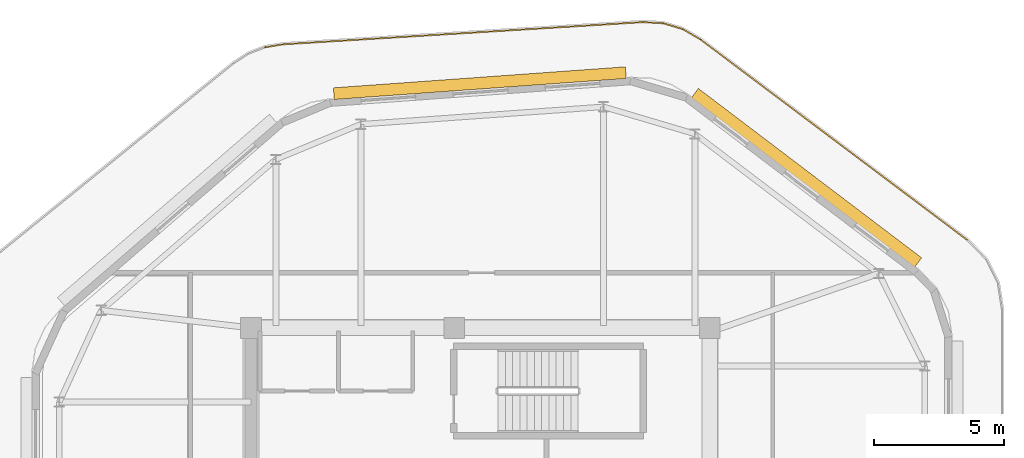
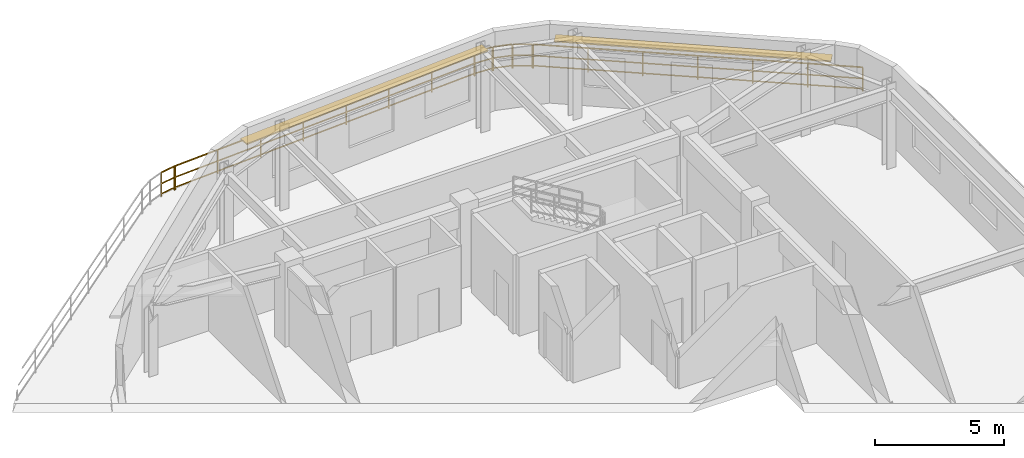
# One storey, part 7 of 7: 6 railings, 2 shading devices.
"""IFC4 building model written with IfcOpenShell, lengths in metres."""

from ifc_helpers import new_model, si_unit, direction, frame, origin, origin_2d, place, context, subcontext, project, spatial, rectangle, extrude, material, layer, layer_set, type_object, element, save


model = new_model("IFC4")

# Units and contexts
model_context = context("Model", 3, precision=1e-05, world=origin(), true_north=direction((0.0, 1.0)))
body_context = subcontext(model_context, "Body", "Model", "MODEL_VIEW")
ifc_project = project(units=[si_unit("LENGTHUNIT", "METRE"), si_unit("AREAUNIT", "SQUARE_METRE"), si_unit("VOLUMEUNIT", "CUBIC_METRE"), si_unit("PLANEANGLEUNIT", "RADIAN"), si_unit("MASSUNIT", "GRAM", prefix="KILO")], contexts=[model_context])

# Site, building, storey
site_placement = place(None, origin())
site = spatial("IfcSite", under=ifc_project, at=site_placement, CompositionType="ELEMENT")
building_placement = place(site_placement, origin())
building = spatial("IfcBuilding", under=site, at=building_placement, Name="Zulverin Broadcast Headquarters", CompositionType="ELEMENT")
storey_placement = place(building_placement, frame((0.0, 0.0, 321.39990234375)))
storey = spatial("IfcBuildingStorey", under=building, at=storey_placement, Name="C3", CompositionType="ELEMENT", Elevation=321.39990234375)

# Railings
ifc_material_1 = material(Name="Brushed stainless steel & laminated glass balustrade", Category="steel")
railing_type = type_object("IfcRailingType", Name="RL-GUARD-1150", PredefinedType="GUARDRAIL", material=ifc_material_1)
railing_1_placement = place(storey_placement, frame((31.17431640625, 43.876953125, 0.0)))
element("IfcRailing", 1, at=railing_1_placement, inside=storey, type_object=railing_type, Name="C3 Stepped Crown Terrace Perimeter Balustrade Segment 12", PredefinedType="GUARDRAIL", context=body_context, shape_type="SweptSolid", body=[
    extrude(rectangle(XDim=0.048095703125, YDim=0.048095703125, at=origin_2d()), frame((0.0, 0.0, 1.1259765625), z_axis=(0.986444048487, 0.164097956128, 0.0), x_axis=(-0.164097956128, 0.986444048487, 0.0)), (0.0, 0.0, 1.0), 0.65771484375),
    extrude(rectangle(XDim=0.0419921875, YDim=0.0419921875, at=origin_2d()), frame((0.0, 0.0, 0.597900390625), z_axis=(0.986444048487, 0.164097956128, 0.0), x_axis=(-0.164097956128, 0.986444048487, 0.0)), (0.0, 0.0, 1.0), 0.65771484375),
    extrude(rectangle(XDim=0.0419921875, YDim=0.0419921875, at=origin_2d()), frame((0.0, 0.0, 0.1201171875), z_axis=(0.986444048487, 0.164097956128, 0.0), x_axis=(-0.164097956128, 0.986444048487, 0.0)), (0.0, 0.0, 1.0), 0.65771484375),
    extrude(rectangle(XDim=0.0419921875, YDim=0.0419921875, at=origin_2d()), origin(), (0.0, 0.0, 1.0), 1.101806640625),
    extrude(rectangle(XDim=0.0419921875, YDim=0.0419921875, at=origin_2d()), frame((0.648681640625, 0.10791015625, 0.0)), (0.0, 0.0, 1.0), 1.101806640625),
])
railing_2_placement = place(storey_placement, frame((31.852783203125, 43.98828125, 0.0)))
element("IfcRailing", 2, at=railing_2_placement, inside=storey, type_object=railing_type, Name="C3 Stepped Crown Terrace Perimeter Balustrade Segment 13", PredefinedType="GUARDRAIL", context=body_context, shape_type="SweptSolid", body=[
    extrude(rectangle(XDim=0.048095703125, YDim=0.048095703125, at=origin_2d()), frame((0.0, 0.0, 1.1259765625), z_axis=(0.998103223498, 0.061562612374, 0.0), x_axis=(-0.061562612374, 0.998103223498, 0.0)), (0.0, 0.0, 1.0), 13.8642578125),
    extrude(rectangle(XDim=0.0419921875, YDim=0.0419921875, at=origin_2d()), frame((0.0, 0.0, 0.597900390625), z_axis=(0.998103223498, 0.061562612374, 0.0), x_axis=(-0.061562612374, 0.998103223498, 0.0)), (0.0, 0.0, 1.0), 13.8642578125),
    extrude(rectangle(XDim=0.0419921875, YDim=0.0419921875, at=origin_2d()), frame((0.0, 0.0, 0.1201171875), z_axis=(0.998103223498, 0.061562612374, 0.0), x_axis=(-0.061562612374, 0.998103223498, 0.0)), (0.0, 0.0, 1.0), 13.8642578125),
    extrude(rectangle(XDim=0.0419921875, YDim=0.0419921875, at=origin_2d()), origin(), (0.0, 0.0, 1.0), 1.101806640625),
    extrude(rectangle(XDim=0.0419921875, YDim=0.0419921875, at=origin_2d()), frame((1.976806640625, 0.121826171875, 0.0)), (0.0, 0.0, 1.0), 1.101806640625),
    extrude(rectangle(XDim=0.0419921875, YDim=0.0419921875, at=origin_2d()), frame((3.95361328125, 0.243896484375, 0.0)), (0.0, 0.0, 1.0), 1.101806640625),
    extrude(rectangle(XDim=0.0419921875, YDim=0.0419921875, at=origin_2d()), frame((5.930419921875, 0.36572265625, 0.0)), (0.0, 0.0, 1.0), 1.101806640625),
    extrude(rectangle(XDim=0.0419921875, YDim=0.0419921875, at=origin_2d()), frame((7.907470703125, 0.48779296875, 0.0)), (0.0, 0.0, 1.0), 1.101806640625),
    extrude(rectangle(XDim=0.0419921875, YDim=0.0419921875, at=origin_2d()), frame((9.88427734375, 0.609619140625, 0.0)), (0.0, 0.0, 1.0), 1.101806640625),
    extrude(rectangle(XDim=0.0419921875, YDim=0.0419921875, at=origin_2d()), frame((11.861083984375, 0.731689453125, 0.0)), (0.0, 0.0, 1.0), 1.101806640625),
    extrude(rectangle(XDim=0.0419921875, YDim=0.0419921875, at=origin_2d()), frame((13.837890625, 0.853515625, 0.0)), (0.0, 0.0, 1.0), 1.101806640625),
])
railing_3_placement = place(storey_placement, frame((45.720703125, 44.842041015625, 0.0)))
element("IfcRailing", 3, at=railing_3_placement, inside=storey, type_object=railing_type, Name="C3 Stepped Crown Terrace Perimeter Balustrade Segment 14", PredefinedType="GUARDRAIL", context=body_context, shape_type="SweptSolid", body=[
    extrude(rectangle(XDim=0.048095703125, YDim=0.048095703125, at=origin_2d()), frame((0.0, 0.0, 1.1259765625), z_axis=(0.998412168464, -0.056330647637, 0.0), x_axis=(0.056330647637, 0.998412168464, 0.0)), (0.0, 0.0, 1.0), 0.754150390625),
    extrude(rectangle(XDim=0.0419921875, YDim=0.0419921875, at=origin_2d()), frame((0.0, 0.0, 0.597900390625), z_axis=(0.998412168464, -0.056330647637, 0.0), x_axis=(0.056330647637, 0.998412168464, 0.0)), (0.0, 0.0, 1.0), 0.754150390625),
    extrude(rectangle(XDim=0.0419921875, YDim=0.0419921875, at=origin_2d()), frame((0.0, 0.0, 0.1201171875), z_axis=(0.998412168464, -0.056330647637, 0.0), x_axis=(0.056330647637, 0.998412168464, 0.0)), (0.0, 0.0, 1.0), 0.754150390625),
    extrude(rectangle(XDim=0.0419921875, YDim=0.0419921875, at=origin_2d()), origin(), (0.0, 0.0, 1.0), 1.101806640625),
    extrude(rectangle(XDim=0.0419921875, YDim=0.0419921875, at=origin_2d()), frame((0.7529296875, -0.04248046875, 0.0)), (0.0, 0.0, 1.0), 1.101806640625),
])
railing_4_placement = place(storey_placement, frame((46.503173828125, 44.79443359375, 0.0)))
element("IfcRailing", 4, at=railing_4_placement, inside=storey, type_object=railing_type, Name="C3 Stepped Crown Terrace Perimeter Balustrade Segment 15", PredefinedType="GUARDRAIL", context=body_context, shape_type="SweptSolid", body=[
    extrude(rectangle(XDim=0.048095703125, YDim=0.048095703125, at=origin_2d()), frame((0.0, 0.0, 1.1259765625), z_axis=(0.957826285221, -0.287347885566, 0.0), x_axis=(0.287347885566, 0.957826285221, 0.0)), (0.0, 0.0, 1.0), 0.749267578125),
    extrude(rectangle(XDim=0.0419921875, YDim=0.0419921875, at=origin_2d()), frame((0.0, 0.0, 0.597900390625), z_axis=(0.957826285221, -0.287347885566, 0.0), x_axis=(0.287347885566, 0.957826285221, 0.0)), (0.0, 0.0, 1.0), 0.749267578125),
    extrude(rectangle(XDim=0.0419921875, YDim=0.0419921875, at=origin_2d()), frame((0.0, 0.0, 0.1201171875), z_axis=(0.957826285221, -0.287347885566, 0.0), x_axis=(0.287347885566, 0.957826285221, 0.0)), (0.0, 0.0, 1.0), 0.749267578125),
    extrude(rectangle(XDim=0.0419921875, YDim=0.0419921875, at=origin_2d()), origin(), (0.0, 0.0, 1.0), 1.101806640625),
    extrude(rectangle(XDim=0.0419921875, YDim=0.0419921875, at=origin_2d()), frame((0.7177734375, -0.21533203125, 0.0)), (0.0, 0.0, 1.0), 1.101806640625),
])
railing_5_placement = place(storey_placement, frame((47.248291015625, 44.567138671875, 0.0)))
element("IfcRailing", 5, at=railing_5_placement, inside=storey, type_object=railing_type, Name="C3 Stepped Crown Terrace Perimeter Balustrade Segment 16", PredefinedType="GUARDRAIL", context=body_context, shape_type="SweptSolid", body=[
    extrude(rectangle(XDim=0.048095703125, YDim=0.048095703125, at=origin_2d()), frame((0.0, 0.0, 1.1259765625), z_axis=(0.864353452712, -0.50288478679, 0.0), x_axis=(0.50288478679, 0.864353452712, 0.0)), (0.0, 0.0, 1.0), 0.75439453125),
    extrude(rectangle(XDim=0.0419921875, YDim=0.0419921875, at=origin_2d()), frame((0.0, 0.0, 0.597900390625), z_axis=(0.864353452712, -0.50288478679, 0.0), x_axis=(0.50288478679, 0.864353452712, 0.0)), (0.0, 0.0, 1.0), 0.75439453125),
    extrude(rectangle(XDim=0.0419921875, YDim=0.0419921875, at=origin_2d()), frame((0.0, 0.0, 0.1201171875), z_axis=(0.864353452712, -0.50288478679, 0.0), x_axis=(0.50288478679, 0.864353452712, 0.0)), (0.0, 0.0, 1.0), 0.75439453125),
    extrude(rectangle(XDim=0.0419921875, YDim=0.0419921875, at=origin_2d()), origin(), (0.0, 0.0, 1.0), 1.101806640625),
    extrude(rectangle(XDim=0.0419921875, YDim=0.0419921875, at=origin_2d()), frame((0.652099609375, -0.37939453125, 0.0)), (0.0, 0.0, 1.0), 1.101806640625),
])
railing_6_placement = place(storey_placement, frame((47.92529296875, 44.17138671875, 0.0)))
element("IfcRailing", 6, at=railing_6_placement, inside=storey, type_object=railing_type, Name="C3 Stepped Crown Terrace Perimeter Balustrade Segment 17", PredefinedType="GUARDRAIL", context=body_context, shape_type="SweptSolid", body=[
    extrude(rectangle(XDim=0.048095703125, YDim=0.048095703125, at=origin_2d()), frame((0.0, 0.0, 1.1259765625), z_axis=(0.799362266958, -0.600849370611, 0.0), x_axis=(0.600849370611, 0.799362266958, 0.0)), (0.0, 0.0, 1.0), 12.826171875),
    extrude(rectangle(XDim=0.0419921875, YDim=0.0419921875, at=origin_2d()), frame((0.0, 0.0, 0.597900390625), z_axis=(0.799362266958, -0.600849370611, 0.0), x_axis=(0.600849370611, 0.799362266958, 0.0)), (0.0, 0.0, 1.0), 12.826171875),
    extrude(rectangle(XDim=0.0419921875, YDim=0.0419921875, at=origin_2d()), frame((0.0, 0.0, 0.1201171875), z_axis=(0.799362266958, -0.600849370611, 0.0), x_axis=(0.600849370611, 0.799362266958, 0.0)), (0.0, 0.0, 1.0), 12.826171875),
    extrude(rectangle(XDim=0.0419921875, YDim=0.0419921875, at=origin_2d()), origin(), (0.0, 0.0, 1.0), 1.101806640625),
    extrude(rectangle(XDim=0.0419921875, YDim=0.0419921875, at=origin_2d()), frame((1.708740234375, -1.284423828125, 0.0)), (0.0, 0.0, 1.0), 1.101806640625),
    extrude(rectangle(XDim=0.0419921875, YDim=0.0419921875, at=origin_2d()), frame((3.41748046875, -2.56884765625, 0.0)), (0.0, 0.0, 1.0), 1.101806640625),
    extrude(rectangle(XDim=0.0419921875, YDim=0.0419921875, at=origin_2d()), frame((5.12646484375, -3.853271484375, 0.0)), (0.0, 0.0, 1.0), 1.101806640625),
    extrude(rectangle(XDim=0.0419921875, YDim=0.0419921875, at=origin_2d()), frame((6.835205078125, -5.1376953125, 0.0)), (0.0, 0.0, 1.0), 1.101806640625),
    extrude(rectangle(XDim=0.0419921875, YDim=0.0419921875, at=origin_2d()), frame((8.5439453125, -6.422119140625, 0.0)), (0.0, 0.0, 1.0), 1.101806640625),
    extrude(rectangle(XDim=0.0419921875, YDim=0.0419921875, at=origin_2d()), frame((10.252685546875, -7.70654296875, 0.0)), (0.0, 0.0, 1.0), 1.101806640625),
])

# Shading devices
ifc_material_2 = material(Name="Anodized pale-metal aluminium sunshade", Category="aluminium")
ifc_layer = layer(ifc_material_2, 0.06005859375, Name="Anodized pale-metal aluminium sunshade", Category="aluminium")
ifc_layer_set = layer_set([ifc_layer], Name="Anodized pale-metal aluminium sunshade")
shading_device_type = type_object("IfcShadingDeviceType", Name="SS-01_PALE_METAL_ALUMINIUM_SUNSHADE", PredefinedType="USERDEFINED", material=ifc_layer_set)
shading_device_1_placement = place(storey_placement, frame((52.000244140625, 38.85107421875, 2.7099609375), z_axis=(0.0, 0.0, 1.0), x_axis=(-0.796691338975, 0.604386391643, 0.0)))
element("IfcShadingDevice", 7, at=shading_device_1_placement, inside=storey, type_object=shading_device_type, Name="C3 Horizontal Pale-Metal Sunshade Band 4", ObjectType="SUNSHADE", PredefinedType="USERDEFINED", context=body_context, shape_type="SweptSolid", body=[
    extrude(rectangle(XDim=10.78271484375, YDim=0.449951171875, at=origin_2d()), origin(), (0.0, 0.0, 1.0), 0.06005859375),
])
shading_device_2_placement = place(storey_placement, frame((39.429931640625, 42.494384765625, 2.7099609375), z_axis=(0.0, 0.0, 1.0), x_axis=(-0.997421153991, -0.071770757069, 0.0)))
element("IfcShadingDevice", 8, at=shading_device_2_placement, inside=storey, type_object=shading_device_type, Name="C3 Horizontal Pale-Metal Sunshade Band 5", ObjectType="SUNSHADE", PredefinedType="USERDEFINED", context=body_context, shape_type="SweptSolid", body=[
    extrude(rectangle(XDim=11.263671875, YDim=0.449951171875, at=origin_2d()), origin(), (0.0, 0.0, 1.0), 0.06005859375),
])

save(model, "model.ifc")
